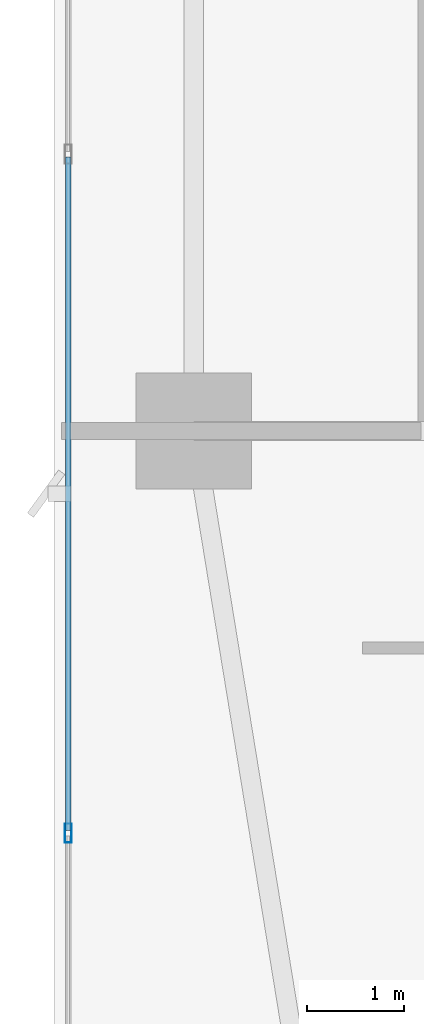
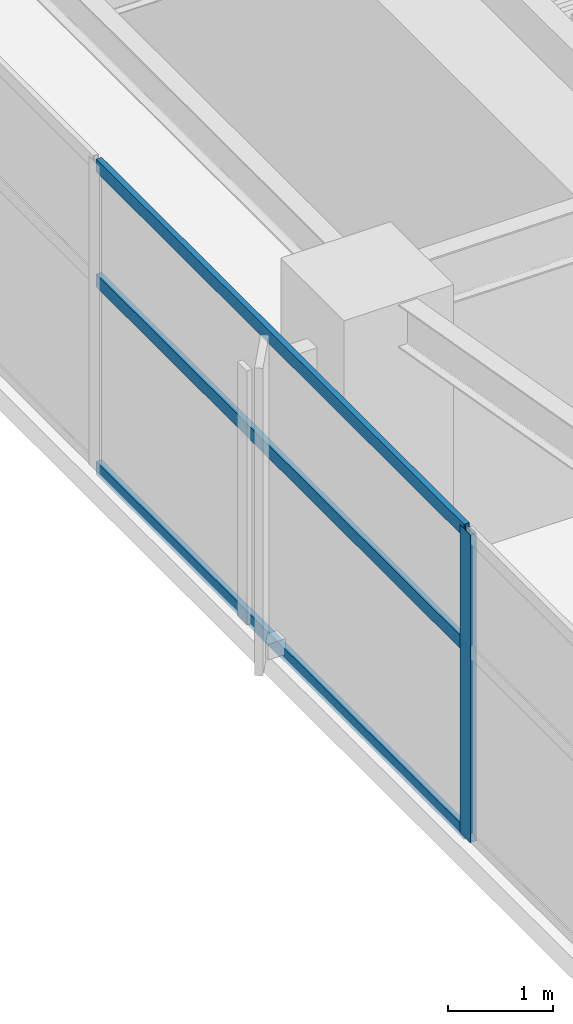
# One storey, part 4 of 28: 4 members, 1 element without a shape of its own.
"""IFC4 building model written with IfcOpenShell, lengths in metres."""

from ifc_helpers import new_model, si_unit, direction, frame, origin, origin_2d, place, context, subcontext, project, spatial, hollow_rectangle, extrude, material, layer, layer_set, material_profile, profile_set, type_object, element, aggregate, save


model = new_model("IFC4")

# Units and contexts
model_context = context("Model", 3, precision=1e-05, world=origin(), true_north=direction((0.0, 1.0)))
body_context = subcontext(model_context, "Body", "Model", "MODEL_VIEW")
ifc_project = project(units=[si_unit("LENGTHUNIT", "METRE"), si_unit("AREAUNIT", "SQUARE_METRE"), si_unit("VOLUMEUNIT", "CUBIC_METRE"), si_unit("PLANEANGLEUNIT", "RADIAN"), si_unit("MASSUNIT", "GRAM", prefix="KILO")], contexts=[model_context])

# Site, building, storey
site_placement = place(None, origin())
site = spatial("IfcSite", under=ifc_project, at=site_placement, CompositionType="ELEMENT")
building_placement = place(site_placement, origin())
building = spatial("IfcBuilding", under=site, at=building_placement, Name="Calvorn Quay Hotel", CompositionType="ELEMENT")
storey_placement = place(building_placement, frame((0.0, 0.0, 178.89990234375)))
storey = spatial("IfcBuildingStorey", under=building, at=storey_placement, Name="L44", CompositionType="ELEMENT", Elevation=178.89990234375)

# Curtain wall, members
ifc_material_1 = material(Name="Pale Anodised Aluminium and Low-E Glass", Category="aluminium")
ifc_layer = layer(ifc_material_1, 0.219970703125)
ifc_layer_set = layer_set([ifc_layer], Name="CW-SYS-Z2")
curtain_wall_type = type_object("IfcCurtainWallType", Name="CW-SYS-Z2", PredefinedType="NOTDEFINED", material=ifc_layer_set)
curtain_wall_placement = place(storey_placement, origin())
curtain_wall = element("IfcCurtainWall", 1, at=curtain_wall_placement, inside=storey, type_object=curtain_wall_type, Name="Tower West Curtain Wall (L44)", PredefinedType="NOTDEFINED")
ifc_material_2 = material(Name="Pale Anodised Aluminium 6063-T6", Category="aluminium")
ifc_material_profile_1 = material_profile(ifc_material_2, hollow_rectangle(XDim=0.070068359375, YDim=0.199951171875, WallThickness=0.00390625, at=origin_2d()), Name="ALU-M200x70x4")
ifc_profile_set_1 = profile_set([ifc_material_profile_1], Name="Pale Anodised Aluminium 6063-T6")
member_type_1 = type_object("IfcMemberType", Name="CW-SYS-Z2-MUL", PredefinedType="MULLION", material=ifc_profile_set_1)
member_1_placement = place(storey_placement, frame((0.14990234375, 12.63330078125, 0.0), z_axis=(0.0, 0.0, 1.0), x_axis=(-1.0, 0.0, 0.0)))
member_1 = element("IfcMember", 2, at=member_1_placement, type_object=member_type_1, Name="CW-L44-W mullion 2", PredefinedType="MULLION", context=body_context, shape_type="SweptSolid", body=[
    extrude(hollow_rectangle(XDim=0.070068359375, YDim=0.199951171875, WallThickness=0.00390625, at=origin_2d()), origin(), (0.0, 0.0, 1.0), 3.56005859375),
])
ifc_material_3 = material(Name="Pale Anodised Aluminium 6063-T6", Category="aluminium")
ifc_material_profile_2 = material_profile(ifc_material_3, hollow_rectangle(XDim=0.06005859375, YDim=0.14990234375, WallThickness=0.00341796875, at=origin_2d()), Name="ALU-T150x60x3.5")
ifc_profile_set_2 = profile_set([ifc_material_profile_2], Name="Pale Anodised Aluminium 6063-T6")
member_type_2 = type_object("IfcMemberType", Name="CW-SYS-Z2-TRN", PredefinedType="USERDEFINED", material=ifc_profile_set_2)
member_2_placement = place(storey_placement, frame((0.14990234375, 12.663330078125, 0.030029296875), z_axis=(0.0, 1.0, 0.0), x_axis=(-1.0, 0.0, 0.0)))
member_2 = element("IfcMember", 3, at=member_2_placement, type_object=member_type_2, Name="CW-L44-W transom 2.1", ObjectType="TRANSOM", PredefinedType="USERDEFINED", context=body_context, shape_type="SweptSolid", body=[
    extrude(hollow_rectangle(XDim=0.06005859375, YDim=0.14990234375, WallThickness=0.00341796875, at=origin_2d()), origin(), (0.0, 0.0, 1.0), 6.973388671875),
])
member_3_placement = place(storey_placement, frame((0.14990234375, 12.663330078125, 2.2001953125), z_axis=(0.0, 1.0, 0.0), x_axis=(-1.0, 0.0, 0.0)))
member_3 = element("IfcMember", 4, at=member_3_placement, type_object=member_type_2, Name="CW-L44-W transom 2.2", ObjectType="TRANSOM", PredefinedType="USERDEFINED", context=body_context, shape_type="SweptSolid", body=[
    extrude(hollow_rectangle(XDim=0.06005859375, YDim=0.14990234375, WallThickness=0.00341796875, at=origin_2d()), origin(), (0.0, 0.0, 1.0), 6.973388671875),
])
member_4_placement = place(storey_placement, frame((0.14990234375, 12.663330078125, 3.530029296875), z_axis=(0.0, 1.0, 0.0), x_axis=(-1.0, 0.0, 0.0)))
member_4 = element("IfcMember", 5, at=member_4_placement, type_object=member_type_2, Name="CW-L44-W transom 2.3", ObjectType="TRANSOM", PredefinedType="USERDEFINED", context=body_context, shape_type="SweptSolid", body=[
    extrude(hollow_rectangle(XDim=0.06005859375, YDim=0.14990234375, WallThickness=0.00341796875, at=origin_2d()), origin(), (0.0, 0.0, 1.0), 6.973388671875),
])
aggregate(curtain_wall, [member_1, member_2, member_3, member_4])

save(model, "model.ifc")
